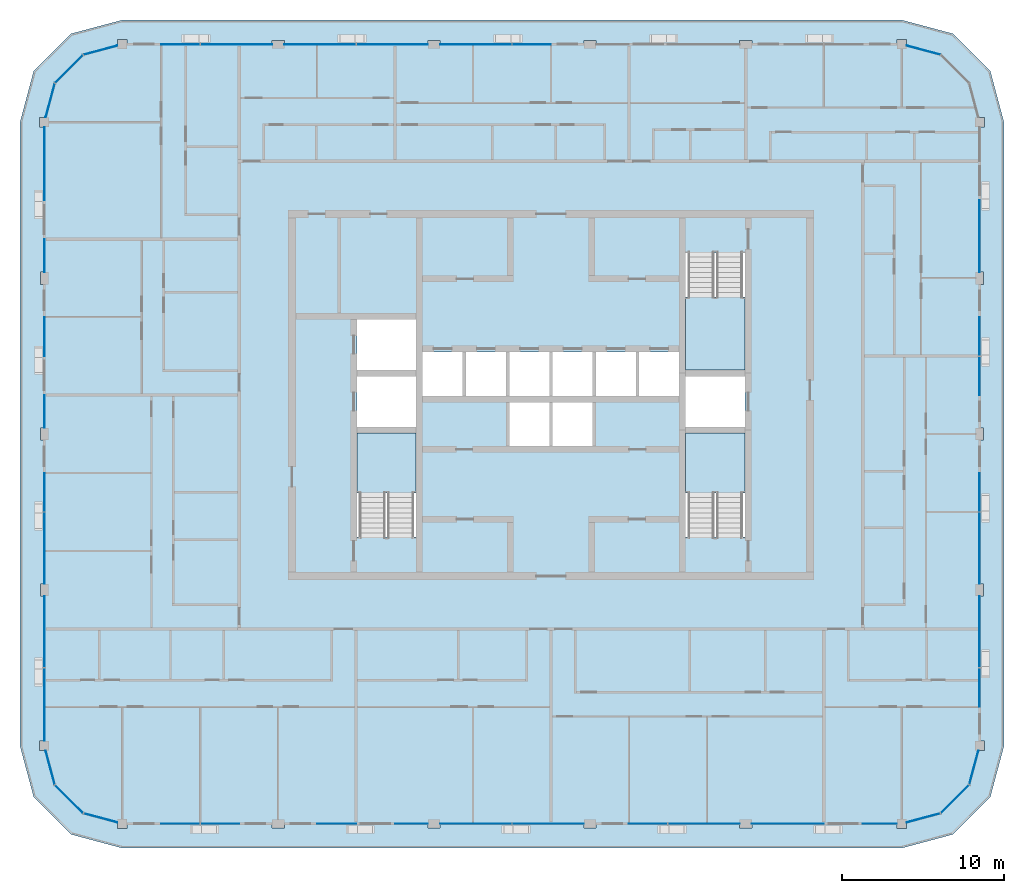
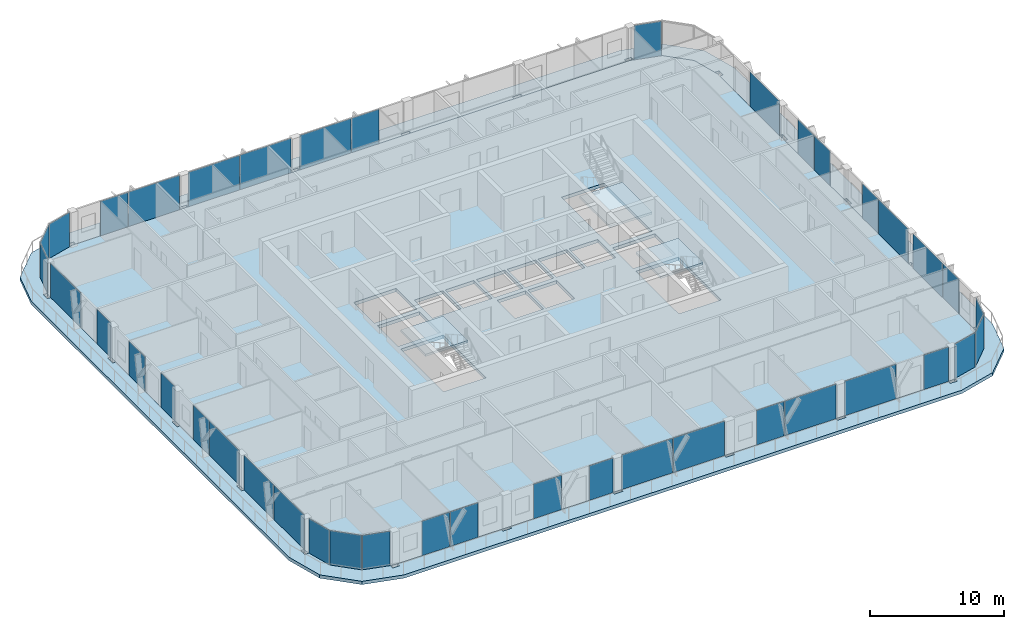
# One storey, part 7 of 21: 41 plates, 5 slabs, 23 elements without a shape of their own.
"""IFC4 building model written with IfcOpenShell, lengths in metres."""

import ifcopenshell
import ifcopenshell.guid

model = None  # the IFC model being written
_history = None  # IfcOwnerHistory: only IFC2X3 demands one
_inside = {}  # id of a spatial element -> (the spatial element, [elements in it])
_under = {}  # id of a project, library or spatial element -> (it, [spatial elements below it])
_declared = {}  # id of a project -> (the project, [libraries it declares])
_typed = {}  # id of a type object -> (the type object, [elements of that type])
_made_of = {}  # id of a material, layer set ... -> (it, [elements and type objects made of it])


def new_model(schema):
    """Start an empty IFC model of exactly this schema.

    Asked for "IFC4X3", IfcOpenShell would pick the latest addendum, in which some entities
    have other attributes; the version numbers below select the first issue.
    IFC2X3 requires an IfcOwnerHistory on every rooted entity: one is made here for all.
    """
    global model, _history
    if schema == "IFC4X3":
        model = ifcopenshell.file(schema_version=(4, 3, 0, 0))
    else:
        model = ifcopenshell.file(schema=schema)
    _inside.clear()
    _under.clear()
    _declared.clear()
    _typed.clear()
    _made_of.clear()
    _history = None
    if model.schema == "IFC2X3":
        org = make("IfcOrganization", Name="unknown")
        user = make(
            "IfcPersonAndOrganization",
            ThePerson=make("IfcPerson", FamilyName="unknown"),
            TheOrganization=org,
        )
        app = make(
            "IfcApplication",
            ApplicationDeveloper=org,
            Version="unknown",
            ApplicationFullName="unknown",
            ApplicationIdentifier="unknown",
        )
        _history = make(
            "IfcOwnerHistory",
            OwningUser=user,
            OwningApplication=app,
            ChangeAction="ADDED",
            CreationDate=0,
        )
    return model


def make(cls, **values):
    """One entity of the class cls with the attributes given. An attribute that is None is left unset."""
    return model.create_entity(
        cls, **{name: value for name, value in values.items() if value is not None}
    )


def rooted(cls, **values):
    """An entity with a GlobalId (a new one), such as an element, a storey or a relation."""
    return make(cls, GlobalId=ifcopenshell.guid.new(), OwnerHistory=_history, **values)


def si_unit(unit_type, name, prefix=None):
    """IfcSIUnit, for example si_unit("LENGTHUNIT", "METRE", prefix="MILLI")."""
    return make("IfcSIUnit", UnitType=unit_type, Prefix=prefix, Name=name)


def assignment(units):
    """IfcUnitAssignment: the units of a project."""
    return None if units is None else make("IfcUnitAssignment", Units=units)


def point(xyz):
    """IfcCartesianPoint."""
    return None if xyz is None else make("IfcCartesianPoint", Coordinates=xyz)


def direction(xyz):
    """IfcDirection."""
    return None if xyz is None else make("IfcDirection", DirectionRatios=xyz)


def frame(location, z_axis=None, x_axis=None):
    """IfcAxis2Placement3D, a coordinate frame: its origin and axes. An axis left out is left unset."""
    return make(
        "IfcAxis2Placement3D",
        Location=point(location),
        Axis=direction(z_axis),
        RefDirection=direction(x_axis),
    )


def frame_2d(location, x_axis=None):
    """IfcAxis2Placement2D, a coordinate frame in the plane: its origin and x axis."""
    return make(
        "IfcAxis2Placement2D", Location=point(location), RefDirection=direction(x_axis)
    )


def origin():
    """The frame at (0, 0, 0) with its axes left unset."""
    return frame((0.0, 0.0, 0.0))


def origin_2d():
    """The frame at (0, 0) in the plane with its x axis left unset."""
    return frame_2d((0.0, 0.0))


def place(relative_to, where):
    """IfcLocalPlacement: puts the frame where relative to a parent placement (None: the world)."""
    return make(
        "IfcLocalPlacement", PlacementRelTo=relative_to, RelativePlacement=where
    )


def context(
    kind, dimensions, precision=None, world=None, true_north=None, identifier=None
):
    """IfcGeometricRepresentationContext, for example the 3D "Model" context."""
    return make(
        "IfcGeometricRepresentationContext",
        ContextIdentifier=identifier,
        ContextType=kind,
        CoordinateSpaceDimension=dimensions,
        Precision=precision,
        WorldCoordinateSystem=world,
        TrueNorth=true_north,
    )


def subcontext(parent, identifier, kind, view, scale=None):
    """IfcGeometricRepresentationSubContext, for example "Body" below "Model"."""
    return make(
        "IfcGeometricRepresentationSubContext",
        ContextIdentifier=identifier,
        ContextType=kind,
        ParentContext=parent,
        TargetScale=scale,
        TargetView=view,
    )


def project(units=None, contexts=None):
    """IfcProject with its units and contexts."""
    return rooted(
        "IfcProject",
        Name="project",
        RepresentationContexts=contexts,
        UnitsInContext=assignment(units),
    )


def spatial(cls, under=None, at=None, **own):
    """A site, building, storey or space (cls), placed at a placement, below another one or the project."""
    s = rooted(cls, ObjectPlacement=at, **own)
    if under is not None:
        _under.setdefault(under.id(), (under, []))[1].append(s)
    return s


def polyline(points):
    """IfcPolyline through the points."""
    return make("IfcPolyline", Points=[point(p) for p in points])


def profile(cls, at=None, kind="AREA", **sizes):
    """A parametric profile (cls). Its sizes go by their IFC names, for example OverallWidth=200.0."""
    return make(cls, ProfileType=kind, Position=at, **sizes)


def rectangle(**sizes):
    """IfcRectangleProfileDef."""
    return profile("IfcRectangleProfileDef", **sizes)


def outline(outer, holes=None, kind="AREA"):
    """IfcArbitraryClosedProfileDef: a profile drawn as a closed curve; with holes, ...WithVoids."""
    if holes is None:
        return make("IfcArbitraryClosedProfileDef", ProfileType=kind, OuterCurve=outer)
    return make(
        "IfcArbitraryProfileDefWithVoids",
        ProfileType=kind,
        OuterCurve=outer,
        InnerCurves=holes,
    )


def extrude(swept, where, along, depth):
    """IfcExtrudedAreaSolid: the profile swept, set in the frame where, extruded along a direction by depth."""
    return make(
        "IfcExtrudedAreaSolid",
        SweptArea=swept,
        Position=where,
        ExtrudedDirection=direction(along),
        Depth=depth,
    )


def shape(context_of_items, identifier, shape_type, items):
    """IfcShapeRepresentation: the items that make up one representation, for example the "Body"."""
    return make(
        "IfcShapeRepresentation",
        ContextOfItems=context_of_items,
        RepresentationIdentifier=identifier,
        RepresentationType=shape_type,
        Items=items,
    )


def material(Name=None, Category=None):
    """IfcMaterial."""
    return make("IfcMaterial", Name=Name, Category=Category)


def layer(
    of_material, thickness, ventilated=None, Name=None, Category=None, Priority=None
):
    """IfcMaterialLayer: one layer of a wall or slab, of a material (None: an air gap)."""
    return make(
        "IfcMaterialLayer",
        Material=of_material,
        LayerThickness=thickness,
        IsVentilated=ventilated,
        Name=Name,
        Category=Category,
        Priority=Priority,
    )


def layer_set(layers, Name=None):
    """IfcMaterialLayerSet."""
    return make("IfcMaterialLayerSet", MaterialLayers=layers, LayerSetName=Name)


def made_of(thing, what):
    """Note that an element or type object is made of a material, layer set ...; save() writes the relation."""
    if what is not None:
        _made_of.setdefault(what.id(), (what, []))[1].append(thing)
    return thing


def type_object(cls, material=None, **own):
    """A type object (cls), such as IfcWallType, which elements share."""
    return made_of(rooted(cls, **own), material)


def element(
    cls,
    number,
    at=None,
    inside=None,
    cuts=None,
    type_object=None,
    material=None,
    context=None,
    identifier="Body",
    shape_type=None,
    held_by="IfcProductDefinitionShape",
    body=None,
    shapes=None,
    **own,
):
    """One element of the class cls, such as IfcWall. Its Tag is "e" and its number.

    at: its placement. inside: the storey or other place that contains it. cuts: it is an
    opening in that element (IfcRelVoidsElement). A single representation is given by context,
    identifier, shape_type and body (its items); several are given by shapes. held_by: the class
    of the entity that holds the representations. save() writes the other relations.
    """
    e = rooted(cls, Tag="e%d" % number, ObjectPlacement=at, **own)
    if body is not None:
        shapes = [shape(context, identifier, shape_type, body)]
    if shapes is not None:
        e.Representation = make(held_by, Representations=shapes)
    if inside is not None:
        _inside.setdefault(inside.id(), (inside, []))[1].append(e)
    if cuts is not None:
        rooted(
            "IfcRelVoidsElement", RelatingBuildingElement=cuts, RelatedOpeningElement=e
        )
    if type_object is not None:
        _typed.setdefault(type_object.id(), (type_object, []))[1].append(e)
    return made_of(e, material)


def aggregate(whole, parts):
    """IfcRelAggregates: a whole, such as a stair, and the parts it consists of."""
    return rooted("IfcRelAggregates", RelatingObject=whole, RelatedObjects=parts)


def save(model, path):
    """Write the relations noted so far, then the file.

    IfcRelAggregates (storeys below a building ...), IfcRelContainedInSpatialStructure (elements
    in a storey), IfcRelDefinesByType, IfcRelAssociatesMaterial and IfcRelDeclares: one each for
    every whole, place, type object, material and project.
    """
    for whole, parts in _under.values():
        aggregate(whole, parts)
    for where, things in _inside.values():
        rooted(
            "IfcRelContainedInSpatialStructure",
            RelatedElements=things,
            RelatingStructure=where,
        )
    for kind, things in _typed.values():
        rooted("IfcRelDefinesByType", RelatedObjects=things, RelatingType=kind)
    for what, things in _made_of.values():
        rooted("IfcRelAssociatesMaterial", RelatedObjects=things, RelatingMaterial=what)
    for by, libraries in _declared.values():
        rooted("IfcRelDeclares", RelatingContext=by, RelatedDefinitions=libraries)
    model.write(path)


model = new_model("IFC4")

# Units and contexts
model_context = context("Model", 3, precision=1e-05, world=origin(), true_north=direction((0.0, 1.0)))
body_context = subcontext(model_context, "Body", "Model", "MODEL_VIEW")
ifc_project = project(units=[si_unit("LENGTHUNIT", "METRE"), si_unit("AREAUNIT", "SQUARE_METRE"), si_unit("VOLUMEUNIT", "CUBIC_METRE"), si_unit("PLANEANGLEUNIT", "RADIAN"), si_unit("MASSUNIT", "GRAM", prefix="KILO")], contexts=[model_context])

# Site, building, storey
site_placement = place(None, origin())
site = spatial("IfcSite", under=ifc_project, at=site_placement, CompositionType="ELEMENT")
building_placement = place(site_placement, origin())
building = spatial("IfcBuilding", under=site, at=building_placement, Name="Madar Terraces", CompositionType="ELEMENT")
storey_placement = place(building_placement, frame((0.0, 0.0, 275.60009765625)))
storey = spatial("IfcBuildingStorey", under=building, at=storey_placement, Name="L72", CompositionType="ELEMENT", Elevation=275.60009765625)

# Slabs
ifc_material_1 = material(Name="Concrete C50/60", Category="concrete")
ifc_layer_1 = layer(ifc_material_1, 0.300048828125)
ifc_layer_set_1 = layer_set([ifc_layer_1], Name="Balcony band 300")
slab_type_1 = type_object("IfcSlabType", Name="Balcony band 300", PredefinedType="FLOOR", material=ifc_layer_set_1)
slab_1_placement = place(storey_placement, frame((0.0, 0.0, -0.300048828125)))
element("IfcSlab", 1, at=slab_1_placement, inside=storey, type_object=slab_type_1, Name="Balcony band", PredefinedType="FLOOR", context=body_context, shape_type="SweptSolid", body=[
    extrude(outline(polyline([(4.800048828125, -1.5), (1.64990234375, -0.656005859375), (-0.656005859375, 1.64990234375), (-1.5, 4.800048828125), (-1.5, 43.199951171875), (-0.656005859375, 46.35009765625), (1.64990234375, 48.656005859375), (4.800048828125, 49.5), (52.800048828125, 49.5), (55.949951171875, 48.656005859375), (58.256103515625, 46.35009765625), (59.10009765625, 43.199951171875), (59.10009765625, 4.800048828125), (58.256103515625, 1.64990234375), (55.949951171875, -0.656005859375), (52.800048828125, -1.5), (4.800048828125, -1.5)]), holes=[polyline([(5.10009765625, -0.300048828125), (5.10009765625, 0.0), (14.02490234375, 0.0), (14.02490234375, -0.25), (14.77490234375, -0.25), (14.77490234375, 0.0), (23.625, 0.0), (23.625, -0.25), (24.375, -0.25), (24.375, 0.0), (33.22509765625, 0.0), (33.22509765625, -0.25), (33.97509765625, -0.25), (33.97509765625, 0.0), (42.824951171875, 0.0), (42.824951171875, -0.25), (43.574951171875, -0.25), (43.574951171875, 0.0), (52.5, 0.0), (52.5, -0.300048828125), (53.10009765625, -0.300048828125), (53.10009765625, 0.080322265625), (55.199951171875, 0.64306640625), (56.956787109375, 2.39990234375), (57.51953125, 4.5), (57.89990234375, 4.5), (57.89990234375, 5.10009765625), (57.60009765625, 5.10009765625), (57.60009765625, 14.02490234375), (57.85009765625, 14.02490234375), (57.85009765625, 14.77490234375), (57.60009765625, 14.77490234375), (57.60009765625, 23.625), (57.85009765625, 23.625), (57.85009765625, 24.375), (57.60009765625, 24.375), (57.60009765625, 33.22509765625), (57.85009765625, 33.22509765625), (57.85009765625, 33.97509765625), (57.60009765625, 33.97509765625), (57.60009765625, 42.89990234375), (57.89990234375, 42.89990234375), (57.89990234375, 43.5), (57.51953125, 43.5), (56.956787109375, 45.60009765625), (55.199951171875, 47.35693359375), (53.10009765625, 47.919677734375), (53.10009765625, 48.300048828125), (52.5, 48.300048828125), (52.5, 48.0), (43.574951171875, 48.0), (43.574951171875, 48.25), (42.824951171875, 48.25), (42.824951171875, 48.0), (33.97509765625, 48.0), (33.97509765625, 48.25), (33.22509765625, 48.25), (33.22509765625, 48.0), (24.375, 48.0), (24.375, 48.25), (23.625, 48.25), (23.625, 48.0), (14.77490234375, 48.0), (14.77490234375, 48.25), (14.02490234375, 48.25), (14.02490234375, 48.0), (5.10009765625, 48.0), (5.10009765625, 48.300048828125), (4.5, 48.300048828125), (4.5, 47.919677734375), (2.39990234375, 47.35693359375), (0.64306640625, 45.60009765625), (0.080322265625, 43.5), (-0.300048828125, 43.5), (-0.300048828125, 42.89990234375), (0.0, 42.89990234375), (0.0, 33.97509765625), (-0.25, 33.97509765625), (-0.25, 33.22509765625), (0.0, 33.22509765625), (0.0, 24.375), (-0.25, 24.375), (-0.25, 23.625), (0.0, 23.625), (0.0, 14.77490234375), (-0.25, 14.77490234375), (-0.25, 14.02490234375), (0.0, 14.02490234375), (0.0, 5.10009765625), (-0.300048828125, 5.10009765625), (-0.300048828125, 4.5), (0.080322265625, 4.5), (0.64306640625, 2.39990234375), (2.39990234375, 0.64306640625), (4.5, 0.080322265625), (4.5, -0.300048828125), (5.10009765625, -0.300048828125)])]), origin(), (0.0, 0.0, 1.0), 0.300048828125),
])
ifc_material_2 = material(Name="Concrete C50/60", Category="concrete")
ifc_layer_2 = layer(ifc_material_2, 0.300048828125)
ifc_layer_set_2 = layer_set([ifc_layer_2], Name="FS2 PT flat slab 300")
slab_type_2 = type_object("IfcSlabType", Name="FS2 PT flat slab 300", PredefinedType="FLOOR", material=ifc_layer_set_2)
slab_2_placement = place(storey_placement, frame((0.0, 0.0, -0.300048828125)))
element("IfcSlab", 2, at=slab_2_placement, inside=storey, type_object=slab_type_2, Name="Floor slab L72 (1)", PredefinedType="FLOOR", context=body_context, shape_type="SweptSolid", body=[
    extrude(outline(polyline([(52.800048828125, 0.0), (55.199951171875, 0.64306640625), (56.95703125, 2.39990234375), (57.60009765625, 4.800048828125), (57.60009765625, 43.199951171875), (56.95703125, 45.60009765625), (55.199951171875, 47.35693359375), (52.800048828125, 48.0), (4.800048828125, 48.0), (2.39990234375, 47.35693359375), (0.64306640625, 45.60009765625), (0.0, 43.199951171875), (0.0, 4.800048828125), (0.64306640625, 2.39990234375), (2.39990234375, 0.64306640625), (4.800048828125, 0.0), (52.800048828125, 0.0)]), holes=[polyline([(22.89990234375, 17.64990234375), (19.25, 17.64990234375), (19.25, 24.050048828125), (22.89990234375, 24.050048828125), (22.89990234375, 17.64990234375)]), polyline([(28.63330078125, 23.25), (28.63330078125, 25.949951171875), (31.10009765625, 25.949951171875), (31.10009765625, 23.25), (28.63330078125, 23.25)]), polyline([(19.25, 24.449951171875), (19.25, 27.550048828125), (22.89990234375, 27.550048828125), (22.89990234375, 24.449951171875), (19.25, 24.449951171875)]), polyline([(23.300048828125, 26.35009765625), (23.300048828125, 29.050048828125), (25.7666015625, 29.050048828125), (25.7666015625, 26.35009765625), (23.300048828125, 26.35009765625)]), polyline([(25.966552734375, 26.35009765625), (25.966552734375, 29.050048828125), (28.433349609375, 29.050048828125), (28.433349609375, 26.35009765625), (25.966552734375, 26.35009765625)]), polyline([(28.63330078125, 26.35009765625), (28.63330078125, 29.050048828125), (31.10009765625, 29.050048828125), (31.10009765625, 26.35009765625), (28.63330078125, 26.35009765625)]), polyline([(19.25, 27.949951171875), (19.25, 31.050048828125), (22.89990234375, 31.050048828125), (22.89990234375, 27.949951171875), (19.25, 27.949951171875)]), polyline([(43.14990234375, 17.64990234375), (39.5, 17.64990234375), (39.5, 24.050048828125), (43.14990234375, 24.050048828125), (43.14990234375, 17.64990234375)]), polyline([(31.300048828125, 23.25), (31.300048828125, 25.949951171875), (33.7666015625, 25.949951171875), (33.7666015625, 23.25), (31.300048828125, 23.25)]), polyline([(39.5, 24.449951171875), (39.5, 27.550048828125), (43.14990234375, 27.550048828125), (43.14990234375, 24.449951171875), (39.5, 24.449951171875)]), polyline([(31.300048828125, 26.35009765625), (31.300048828125, 29.050048828125), (33.7666015625, 29.050048828125), (33.7666015625, 26.35009765625), (31.300048828125, 26.35009765625)]), polyline([(33.966552734375, 26.35009765625), (33.966552734375, 29.050048828125), (36.433349609375, 29.050048828125), (36.433349609375, 26.35009765625), (33.966552734375, 26.35009765625)]), polyline([(36.63330078125, 26.35009765625), (36.63330078125, 29.050048828125), (39.10009765625, 29.050048828125), (39.10009765625, 26.35009765625), (36.63330078125, 26.35009765625)]), polyline([(39.5, 27.949951171875), (39.5, 35.14990234375), (43.14990234375, 35.14990234375), (43.14990234375, 27.949951171875), (39.5, 27.949951171875)])]), origin(), (0.0, 0.0, 1.0), 0.300048828125),
])

# Curtain wall, plates
ifc_material_3 = material(Name="Glass, ceramic frit dark grey, with black aluminium frame", Category="aluminium")
ifc_layer_3 = layer(ifc_material_3, 0.199951171875)
ifc_layer_set_3 = layer_set([ifc_layer_3], Name="Facade curtain wall, fritted glass")
curtain_wall_type = type_object("IfcCurtainWallType", Name="Facade curtain wall, fritted glass", PredefinedType="NOTDEFINED", material=ifc_layer_set_3)
curtain_wall_1_placement = place(storey_placement, origin())
curtain_wall_1 = element("IfcCurtainWall", 3, at=curtain_wall_1_placement, inside=storey, type_object=curtain_wall_type, Name="Outer skin curtain wall south bay 1", PredefinedType="NOTDEFINED")
ifc_material_4 = material(Name="Glass, ceramic frit dark grey", Category="glass")
ifc_layer_4 = layer(ifc_material_4, 0.028076171875)
ifc_layer_set_4 = layer_set([ifc_layer_4], Name="Facade glass panel 28")
plate_type = type_object("IfcPlateType", Name="Facade glass panel 28", PredefinedType="CURTAIN_PANEL", material=ifc_layer_set_4)
plate_1_placement = place(storey_placement, frame((8.385009765625, 0.0, 0.0), z_axis=(0.0, 0.0, 1.0), x_axis=(1.0, 0.0, 0.0)))
plate_1 = element("IfcPlate", 4, at=plate_1_placement, type_object=plate_type, Name="Panel 1", PredefinedType="CURTAIN_PANEL", context=body_context, shape_type="SweptSolid", body=[
    extrude(rectangle(XDim=2.3701171875, YDim=0.028076171875, at=origin_2d()), origin(), (0.0, 0.0, 1.0), 3.139892578125),
])
plate_2_placement = place(storey_placement, frame((10.81494140625, 0.0, 0.0), z_axis=(0.0, 0.0, 1.0), x_axis=(1.0, 0.0, 0.0)))
plate_2 = element("IfcPlate", 5, at=plate_2_placement, type_object=plate_type, Name="Panel 2", PredefinedType="CURTAIN_PANEL", context=body_context, shape_type="SweptSolid", body=[
    extrude(rectangle(XDim=2.3701171875, YDim=0.028076171875, at=origin_2d()), origin(), (0.0, 0.0, 1.0), 3.139892578125),
])
aggregate(curtain_wall_1, [plate_1, plate_2])

curtain_wall_2_placement = place(storey_placement, origin())
curtain_wall_2 = element("IfcCurtainWall", 6, at=curtain_wall_2_placement, inside=storey, type_object=curtain_wall_type, Name="Outer skin curtain wall south bay 2", PredefinedType="NOTDEFINED")
plate_3_placement = place(storey_placement, frame((18.0, 0.0, 0.0), z_axis=(0.0, 0.0, 1.0), x_axis=(1.0, 0.0, 0.0)))
plate_3 = element("IfcPlate", 7, at=plate_3_placement, type_object=plate_type, Name="Panel 1", PredefinedType="CURTAIN_PANEL", context=body_context, shape_type="SweptSolid", body=[
    extrude(rectangle(XDim=2.39990234375, YDim=0.028076171875, at=origin_2d()), origin(), (0.0, 0.0, 1.0), 3.139892578125),
])
plate_4_placement = place(storey_placement, frame((22.612548828125, 0.0, 0.0), z_axis=(0.0, 0.0, 1.0), x_axis=(1.0, 0.0, 0.0)))
plate_4 = element("IfcPlate", 8, at=plate_4_placement, type_object=plate_type, Name="Panel 2", PredefinedType="CURTAIN_PANEL", context=body_context, shape_type="SweptSolid", body=[
    extrude(rectangle(XDim=2.02490234375, YDim=0.028076171875, at=origin_2d()), origin(), (0.0, 0.0, 1.0), 3.139892578125),
])
aggregate(curtain_wall_2, [plate_3, plate_4])

curtain_wall_3_placement = place(storey_placement, origin())
curtain_wall_3 = element("IfcCurtainWall", 9, at=curtain_wall_3_placement, inside=storey, type_object=curtain_wall_type, Name="Outer skin curtain wall south bay 3", PredefinedType="NOTDEFINED")
plate_5_placement = place(storey_placement, frame((26.572509765625, 0.0, 0.0), z_axis=(0.0, 0.0, 1.0), x_axis=(1.0, 0.0, 0.0)))
plate_5 = element("IfcPlate", 10, at=plate_5_placement, type_object=plate_type, Name="Panel 1", PredefinedType="CURTAIN_PANEL", context=body_context, shape_type="SweptSolid", body=[
    extrude(rectangle(XDim=4.39501953125, YDim=0.028076171875, at=origin_2d()), origin(), (0.0, 0.0, 1.0), 3.139892578125),
])
plate_6_placement = place(storey_placement, frame((31.027587890625, 0.0, 0.0), z_axis=(0.0, 0.0, 1.0), x_axis=(1.0, 0.0, 0.0)))
plate_6 = element("IfcPlate", 11, at=plate_6_placement, type_object=plate_type, Name="Panel 2", PredefinedType="CURTAIN_PANEL", context=body_context, shape_type="SweptSolid", body=[
    extrude(rectangle(XDim=4.39501953125, YDim=0.028076171875, at=origin_2d()), origin(), (0.0, 0.0, 1.0), 3.139892578125),
])
aggregate(curtain_wall_3, [plate_5, plate_6])

curtain_wall_4_placement = place(storey_placement, origin())
curtain_wall_4 = element("IfcCurtainWall", 12, at=curtain_wall_4_placement, inside=storey, type_object=curtain_wall_type, Name="Outer skin curtain wall south bay 4", PredefinedType="NOTDEFINED")
plate_7_placement = place(storey_placement, frame((37.18505859375, 0.0, 0.0), z_axis=(0.0, 0.0, 1.0), x_axis=(1.0, 0.0, 0.0)))
plate_7 = element("IfcPlate", 13, at=plate_7_placement, type_object=plate_type, Name="Panel 1", PredefinedType="CURTAIN_PANEL", context=body_context, shape_type="SweptSolid", body=[
    extrude(rectangle(XDim=2.3701171875, YDim=0.028076171875, at=origin_2d()), origin(), (0.0, 0.0, 1.0), 3.139892578125),
])
plate_8_placement = place(storey_placement, frame((40.62744140625, 0.0, 0.0), z_axis=(0.0, 0.0, 1.0), x_axis=(1.0, 0.0, 0.0)))
plate_8 = element("IfcPlate", 14, at=plate_8_placement, type_object=plate_type, Name="Panel 2", PredefinedType="CURTAIN_PANEL", context=body_context, shape_type="SweptSolid", body=[
    extrude(rectangle(XDim=4.39501953125, YDim=0.028076171875, at=origin_2d()), origin(), (0.0, 0.0, 1.0), 3.139892578125),
])
aggregate(curtain_wall_4, [plate_7, plate_8])

curtain_wall_5_placement = place(storey_placement, origin())
curtain_wall_5 = element("IfcCurtainWall", 15, at=curtain_wall_5_placement, inside=storey, type_object=curtain_wall_type, Name="Outer skin curtain wall south bay 5", PredefinedType="NOTDEFINED")
plate_9_placement = place(storey_placement, frame((45.78759765625, 0.0, 0.0), z_axis=(0.0, 0.0, 1.0), x_axis=(1.0, 0.0, 0.0)))
plate_9 = element("IfcPlate", 16, at=plate_9_placement, type_object=plate_type, Name="Panel 1", PredefinedType="CURTAIN_PANEL", context=body_context, shape_type="SweptSolid", body=[
    extrude(rectangle(XDim=4.425048828125, YDim=0.028076171875, at=origin_2d()), origin(), (0.0, 0.0, 1.0), 3.139892578125),
])
plate_10_placement = place(storey_placement, frame((51.449951171875, 0.0, 0.0), z_axis=(0.0, 0.0, 1.0), x_axis=(1.0, 0.0, 0.0)))
plate_10 = element("IfcPlate", 17, at=plate_10_placement, type_object=plate_type, Name="Panel 2", PredefinedType="CURTAIN_PANEL", context=body_context, shape_type="SweptSolid", body=[
    extrude(rectangle(XDim=2.10009765625, YDim=0.028076171875, at=origin_2d()), origin(), (0.0, 0.0, 1.0), 3.139892578125),
])
aggregate(curtain_wall_5, [plate_9, plate_10])

curtain_wall_6_placement = place(storey_placement, origin())
curtain_wall_6 = element("IfcCurtainWall", 18, at=curtain_wall_6_placement, inside=storey, type_object=curtain_wall_type, Name="Outer skin curtain wall east bay 1", PredefinedType="NOTDEFINED")
plate_11_placement = place(storey_placement, frame((57.60009765625, 8.385009765625, 0.0), z_axis=(0.0, 0.0, 1.0), x_axis=(0.0, 1.0, 0.0)))
plate_11 = element("IfcPlate", 19, at=plate_11_placement, type_object=plate_type, Name="Panel 1", PredefinedType="CURTAIN_PANEL", context=body_context, shape_type="SweptSolid", body=[
    extrude(rectangle(XDim=2.3701171875, YDim=0.028076171875, at=origin_2d()), origin(), (0.0, 0.0, 1.0), 3.139892578125),
])
plate_12_placement = place(storey_placement, frame((57.60009765625, 11.827392578125, 0.0), z_axis=(0.0, 0.0, 1.0), x_axis=(0.0, 1.0, 0.0)))
plate_12 = element("IfcPlate", 20, at=plate_12_placement, type_object=plate_type, Name="Panel 2", PredefinedType="CURTAIN_PANEL", context=body_context, shape_type="SweptSolid", body=[
    extrude(rectangle(XDim=4.39501953125, YDim=0.028076171875, at=origin_2d()), origin(), (0.0, 0.0, 1.0), 3.139892578125),
])
aggregate(curtain_wall_6, [plate_11, plate_12])

curtain_wall_7_placement = place(storey_placement, origin())
curtain_wall_7 = element("IfcCurtainWall", 21, at=curtain_wall_7_placement, inside=storey, type_object=curtain_wall_type, Name="Outer skin curtain wall east bay 2", PredefinedType="NOTDEFINED")
plate_13_placement = place(storey_placement, frame((57.60009765625, 16.972412109375, 0.0), z_axis=(0.0, 0.0, 1.0), x_axis=(0.0, 1.0, 0.0)))
plate_13 = element("IfcPlate", 22, at=plate_13_placement, type_object=plate_type, Name="Panel 1", PredefinedType="CURTAIN_PANEL", context=body_context, shape_type="SweptSolid", body=[
    extrude(rectangle(XDim=4.39501953125, YDim=0.028076171875, at=origin_2d()), origin(), (0.0, 0.0, 1.0), 3.139892578125),
])
plate_14_placement = place(storey_placement, frame((57.60009765625, 20.4150390625, 0.0), z_axis=(0.0, 0.0, 1.0), x_axis=(0.0, 1.0, 0.0)))
plate_14 = element("IfcPlate", 23, at=plate_14_placement, type_object=plate_type, Name="Panel 2", PredefinedType="CURTAIN_PANEL", context=body_context, shape_type="SweptSolid", body=[
    extrude(rectangle(XDim=2.3701171875, YDim=0.028076171875, at=origin_2d()), origin(), (0.0, 0.0, 1.0), 3.139892578125),
])
aggregate(curtain_wall_7, [plate_13, plate_14])

curtain_wall_8_placement = place(storey_placement, origin())
curtain_wall_8 = element("IfcCurtainWall", 24, at=curtain_wall_8_placement, inside=storey, type_object=curtain_wall_type, Name="Outer skin curtain wall east bay 3", PredefinedType="NOTDEFINED")
plate_15_placement = place(storey_placement, frame((57.60009765625, 27.5849609375, 0.0), z_axis=(0.0, 0.0, 1.0), x_axis=(0.0, 1.0, 0.0)))
plate_15 = element("IfcPlate", 25, at=plate_15_placement, type_object=plate_type, Name="Panel 1", PredefinedType="CURTAIN_PANEL", context=body_context, shape_type="SweptSolid", body=[
    extrude(rectangle(XDim=2.3701171875, YDim=0.028076171875, at=origin_2d()), origin(), (0.0, 0.0, 1.0), 3.139892578125),
])
plate_16_placement = place(storey_placement, frame((57.60009765625, 30.014892578125, 0.0), z_axis=(0.0, 0.0, 1.0), x_axis=(0.0, 1.0, 0.0)))
plate_16 = element("IfcPlate", 26, at=plate_16_placement, type_object=plate_type, Name="Panel 2", PredefinedType="CURTAIN_PANEL", context=body_context, shape_type="SweptSolid", body=[
    extrude(rectangle(XDim=2.3701171875, YDim=0.028076171875, at=origin_2d()), origin(), (0.0, 0.0, 1.0), 3.139892578125),
])
aggregate(curtain_wall_8, [plate_15, plate_16])

# Curtain wall, plate
curtain_wall_9_placement = place(storey_placement, origin())
curtain_wall_9 = element("IfcCurtainWall", 27, at=curtain_wall_9_placement, inside=storey, type_object=curtain_wall_type, Name="Outer skin curtain wall east bay 4", PredefinedType="NOTDEFINED")
plate_17_placement = place(storey_placement, frame((57.60009765625, 36.1875, 0.0), z_axis=(0.0, 0.0, 1.0), x_axis=(0.0, 1.0, 0.0)))
plate_17 = element("IfcPlate", 28, at=plate_17_placement, type_object=plate_type, Name="Panel 1", PredefinedType="CURTAIN_PANEL", context=body_context, shape_type="SweptSolid", body=[
    extrude(rectangle(XDim=4.425048828125, YDim=0.028076171875, at=origin_2d()), origin(), (0.0, 0.0, 1.0), 3.139892578125),
])
aggregate(curtain_wall_9, [plate_17])

# Curtain wall, plates
curtain_wall_10_placement = place(storey_placement, origin())
curtain_wall_10 = element("IfcCurtainWall", 29, at=curtain_wall_10_placement, inside=storey, type_object=curtain_wall_type, Name="Outer skin curtain wall north bay 3", PredefinedType="NOTDEFINED")
plate_18_placement = place(storey_placement, frame((30.014892578125, 48.0, 0.0), z_axis=(0.0, 0.0, 1.0), x_axis=(-1.0, 0.0, 0.0)))
plate_18 = element("IfcPlate", 30, at=plate_18_placement, type_object=plate_type, Name="Panel 1", PredefinedType="CURTAIN_PANEL", context=body_context, shape_type="SweptSolid", body=[
    extrude(rectangle(XDim=2.3701171875, YDim=0.028076171875, at=origin_2d()), origin(), (0.0, 0.0, 1.0), 3.139892578125),
])
plate_19_placement = place(storey_placement, frame((26.572509765625, 48.0, 0.0), z_axis=(0.0, 0.0, 1.0), x_axis=(-1.0, 0.0, 0.0)))
plate_19 = element("IfcPlate", 31, at=plate_19_placement, type_object=plate_type, Name="Panel 2", PredefinedType="CURTAIN_PANEL", context=body_context, shape_type="SweptSolid", body=[
    extrude(rectangle(XDim=4.39501953125, YDim=0.028076171875, at=origin_2d()), origin(), (0.0, 0.0, 1.0), 3.139892578125),
])
aggregate(curtain_wall_10, [plate_18, plate_19])

curtain_wall_11_placement = place(storey_placement, origin())
curtain_wall_11 = element("IfcCurtainWall", 32, at=curtain_wall_11_placement, inside=storey, type_object=curtain_wall_type, Name="Outer skin curtain wall north bay 4", PredefinedType="NOTDEFINED")
plate_20_placement = place(storey_placement, frame((21.427490234375, 48.0, 0.0), z_axis=(0.0, 0.0, 1.0), x_axis=(-1.0, 0.0, 0.0)))
plate_20 = element("IfcPlate", 33, at=plate_20_placement, type_object=plate_type, Name="Panel 1", PredefinedType="CURTAIN_PANEL", context=body_context, shape_type="SweptSolid", body=[
    extrude(rectangle(XDim=4.39501953125, YDim=0.028076171875, at=origin_2d()), origin(), (0.0, 0.0, 1.0), 3.139892578125),
])
plate_21_placement = place(storey_placement, frame((16.972412109375, 48.0, 0.0), z_axis=(0.0, 0.0, 1.0), x_axis=(-1.0, 0.0, 0.0)))
plate_21 = element("IfcPlate", 34, at=plate_21_placement, type_object=plate_type, Name="Panel 2", PredefinedType="CURTAIN_PANEL", context=body_context, shape_type="SweptSolid", body=[
    extrude(rectangle(XDim=4.39501953125, YDim=0.028076171875, at=origin_2d()), origin(), (0.0, 0.0, 1.0), 3.139892578125),
])
aggregate(curtain_wall_11, [plate_20, plate_21])

curtain_wall_12_placement = place(storey_placement, origin())
curtain_wall_12 = element("IfcCurtainWall", 35, at=curtain_wall_12_placement, inside=storey, type_object=curtain_wall_type, Name="Outer skin curtain wall north bay 5", PredefinedType="NOTDEFINED")
plate_22_placement = place(storey_placement, frame((11.827392578125, 48.0, 0.0), z_axis=(0.0, 0.0, 1.0), x_axis=(-1.0, 0.0, 0.0)))
plate_22 = element("IfcPlate", 36, at=plate_22_placement, type_object=plate_type, Name="Panel 1", PredefinedType="CURTAIN_PANEL", context=body_context, shape_type="SweptSolid", body=[
    extrude(rectangle(XDim=4.39501953125, YDim=0.028076171875, at=origin_2d()), origin(), (0.0, 0.0, 1.0), 3.139892578125),
])
plate_23_placement = place(storey_placement, frame((8.385009765625, 48.0, 0.0), z_axis=(0.0, 0.0, 1.0), x_axis=(-1.0, 0.0, 0.0)))
plate_23 = element("IfcPlate", 37, at=plate_23_placement, type_object=plate_type, Name="Panel 2", PredefinedType="CURTAIN_PANEL", context=body_context, shape_type="SweptSolid", body=[
    extrude(rectangle(XDim=2.3701171875, YDim=0.028076171875, at=origin_2d()), origin(), (0.0, 0.0, 1.0), 3.139892578125),
])
aggregate(curtain_wall_12, [plate_22, plate_23])

curtain_wall_13_placement = place(storey_placement, origin())
curtain_wall_13 = element("IfcCurtainWall", 38, at=curtain_wall_13_placement, inside=storey, type_object=curtain_wall_type, Name="Outer skin curtain wall west bay 1", PredefinedType="NOTDEFINED")
plate_24_placement = place(storey_placement, frame((0.0, 40.64990234375, 0.0), z_axis=(0.0, 0.0, 1.0), x_axis=(0.0, -1.0, 0.0)))
plate_24 = element("IfcPlate", 39, at=plate_24_placement, type_object=plate_type, Name="Panel 1", PredefinedType="CURTAIN_PANEL", context=body_context, shape_type="SweptSolid", body=[
    extrude(rectangle(XDim=4.5, YDim=0.028076171875, at=origin_2d()), origin(), (0.0, 0.0, 1.0), 3.139892578125),
])
plate_25_placement = place(storey_placement, frame((0.0, 34.987548828125, 0.0), z_axis=(0.0, 0.0, 1.0), x_axis=(0.0, -1.0, 0.0)))
plate_25 = element("IfcPlate", 40, at=plate_25_placement, type_object=plate_type, Name="Panel 2", PredefinedType="CURTAIN_PANEL", context=body_context, shape_type="SweptSolid", body=[
    extrude(rectangle(XDim=2.02490234375, YDim=0.028076171875, at=origin_2d()), origin(), (0.0, 0.0, 1.0), 3.139892578125),
])
aggregate(curtain_wall_13, [plate_24, plate_25])

curtain_wall_14_placement = place(storey_placement, origin())
curtain_wall_14 = element("IfcCurtainWall", 41, at=curtain_wall_14_placement, inside=storey, type_object=curtain_wall_type, Name="Outer skin curtain wall west bay 2", PredefinedType="NOTDEFINED")
plate_26_placement = place(storey_placement, frame((0.0, 30.0, 0.0), z_axis=(0.0, 0.0, 1.0), x_axis=(0.0, -1.0, 0.0)))
plate_26 = element("IfcPlate", 42, at=plate_26_placement, type_object=plate_type, Name="Panel 1", PredefinedType="CURTAIN_PANEL", context=body_context, shape_type="SweptSolid", body=[
    extrude(rectangle(XDim=2.39990234375, YDim=0.028076171875, at=origin_2d()), origin(), (0.0, 0.0, 1.0), 3.139892578125),
])
plate_27_placement = place(storey_placement, frame((0.0, 25.387451171875, 0.0), z_axis=(0.0, 0.0, 1.0), x_axis=(0.0, -1.0, 0.0)))
plate_27 = element("IfcPlate", 43, at=plate_27_placement, type_object=plate_type, Name="Panel 2", PredefinedType="CURTAIN_PANEL", context=body_context, shape_type="SweptSolid", body=[
    extrude(rectangle(XDim=2.02490234375, YDim=0.028076171875, at=origin_2d()), origin(), (0.0, 0.0, 1.0), 3.139892578125),
])
aggregate(curtain_wall_14, [plate_26, plate_27])

curtain_wall_15_placement = place(storey_placement, origin())
curtain_wall_15 = element("IfcCurtainWall", 44, at=curtain_wall_15_placement, inside=storey, type_object=curtain_wall_type, Name="Outer skin curtain wall west bay 3", PredefinedType="NOTDEFINED")
plate_28_placement = place(storey_placement, frame((0.0, 20.4150390625, 0.0), z_axis=(0.0, 0.0, 1.0), x_axis=(0.0, -1.0, 0.0)))
plate_28 = element("IfcPlate", 45, at=plate_28_placement, type_object=plate_type, Name="Panel 1", PredefinedType="CURTAIN_PANEL", context=body_context, shape_type="SweptSolid", body=[
    extrude(rectangle(XDim=2.3701171875, YDim=0.028076171875, at=origin_2d()), origin(), (0.0, 0.0, 1.0), 3.139892578125),
])
plate_29_placement = place(storey_placement, frame((0.0, 16.972412109375, 0.0), z_axis=(0.0, 0.0, 1.0), x_axis=(0.0, -1.0, 0.0)))
plate_29 = element("IfcPlate", 46, at=plate_29_placement, type_object=plate_type, Name="Panel 2", PredefinedType="CURTAIN_PANEL", context=body_context, shape_type="SweptSolid", body=[
    extrude(rectangle(XDim=4.39501953125, YDim=0.028076171875, at=origin_2d()), origin(), (0.0, 0.0, 1.0), 3.139892578125),
])
aggregate(curtain_wall_15, [plate_28, plate_29])

curtain_wall_16_placement = place(storey_placement, origin())
curtain_wall_16 = element("IfcCurtainWall", 47, at=curtain_wall_16_placement, inside=storey, type_object=curtain_wall_type, Name="Outer skin curtain wall west bay 4", PredefinedType="NOTDEFINED")
plate_30_placement = place(storey_placement, frame((0.0, 11.827392578125, 0.0), z_axis=(0.0, 0.0, 1.0), x_axis=(0.0, -1.0, 0.0)))
plate_30 = element("IfcPlate", 48, at=plate_30_placement, type_object=plate_type, Name="Panel 1", PredefinedType="CURTAIN_PANEL", context=body_context, shape_type="SweptSolid", body=[
    extrude(rectangle(XDim=4.39501953125, YDim=0.028076171875, at=origin_2d()), origin(), (0.0, 0.0, 1.0), 3.139892578125),
])
plate_31_placement = place(storey_placement, frame((0.0, 7.3349609375, 0.0), z_axis=(0.0, 0.0, 1.0), x_axis=(0.0, -1.0, 0.0)))
plate_31 = element("IfcPlate", 49, at=plate_31_placement, type_object=plate_type, Name="Panel 2", PredefinedType="CURTAIN_PANEL", context=body_context, shape_type="SweptSolid", body=[
    extrude(rectangle(XDim=4.469970703125, YDim=0.028076171875, at=origin_2d()), origin(), (0.0, 0.0, 1.0), 3.139892578125),
])
aggregate(curtain_wall_16, [plate_30, plate_31])

curtain_wall_17_placement = place(storey_placement, origin())
curtain_wall_17 = element("IfcCurtainWall", 50, at=curtain_wall_17_placement, inside=storey, type_object=curtain_wall_type, Name="Outer skin curtain wall south-east corner", PredefinedType="NOTDEFINED")
plate_32_placement = place(storey_placement, frame((54.135498046875, 0.35791015625, 0.0), z_axis=(0.0, 0.0, 1.0), x_axis=(0.965925832509, 0.258819021888, 0.0)))
plate_32 = element("IfcPlate", 51, at=plate_32_placement, type_object=plate_type, Name="Panel 1", PredefinedType="CURTAIN_PANEL", context=body_context, shape_type="SweptSolid", body=[
    extrude(rectangle(XDim=2.14404296875, YDim=0.028076171875, at=origin_2d()), origin(), (0.0, 0.0, 1.0), 3.139892578125),
])
plate_33_placement = place(storey_placement, frame((56.078369140625, 1.521484375, 0.0), z_axis=(0.0, 0.0, 1.0), x_axis=(0.707106781187, 0.707106781187, 0.0)))
plate_33 = element("IfcPlate", 52, at=plate_33_placement, type_object=plate_type, Name="Panel 2", PredefinedType="CURTAIN_PANEL", context=body_context, shape_type="SweptSolid", body=[
    extrude(rectangle(XDim=2.424560546875, YDim=0.028076171875, at=origin_2d()), origin(), (0.0, 0.0, 1.0), 3.139892578125),
])
plate_34_placement = place(storey_placement, frame((57.2421875, 3.464599609375, 0.0), z_axis=(0.0, 0.0, 1.0), x_axis=(0.258819021888, 0.965925832509, 0.0)))
plate_34 = element("IfcPlate", 53, at=plate_34_placement, type_object=plate_type, Name="Panel 3", PredefinedType="CURTAIN_PANEL", context=body_context, shape_type="SweptSolid", body=[
    extrude(rectangle(XDim=2.14404296875, YDim=0.028076171875, at=origin_2d()), origin(), (0.0, 0.0, 1.0), 3.139892578125),
])
aggregate(curtain_wall_17, [plate_32, plate_33, plate_34])

# Curtain wall, plate
curtain_wall_18_placement = place(storey_placement, origin())
curtain_wall_18 = element("IfcCurtainWall", 54, at=curtain_wall_18_placement, inside=storey, type_object=curtain_wall_type, Name="Outer skin curtain wall north-east corner", PredefinedType="NOTDEFINED")
plate_35_placement = place(storey_placement, frame((54.135498046875, 47.64208984375, 0.0), z_axis=(0.0, 0.0, 1.0), x_axis=(-0.965925832509, 0.258819021888, 0.0)))
plate_35 = element("IfcPlate", 55, at=plate_35_placement, type_object=plate_type, Name="Panel 3", PredefinedType="CURTAIN_PANEL", context=body_context, shape_type="SweptSolid", body=[
    extrude(rectangle(XDim=2.14404296875, YDim=0.028076171875, at=origin_2d()), origin(), (0.0, 0.0, 1.0), 3.139892578125),
])
aggregate(curtain_wall_18, [plate_35])

# Curtain wall, plates
curtain_wall_19_placement = place(storey_placement, origin())
curtain_wall_19 = element("IfcCurtainWall", 56, at=curtain_wall_19_placement, inside=storey, type_object=curtain_wall_type, Name="Outer skin curtain wall north-west corner", PredefinedType="NOTDEFINED")
plate_36_placement = place(storey_placement, frame((3.464599609375, 47.64208984375, 0.0), z_axis=(0.0, 0.0, 1.0), x_axis=(-0.965925832509, -0.258819021888, 0.0)))
plate_36 = element("IfcPlate", 57, at=plate_36_placement, type_object=plate_type, Name="Panel 1", PredefinedType="CURTAIN_PANEL", context=body_context, shape_type="SweptSolid", body=[
    extrude(rectangle(XDim=2.14404296875, YDim=0.028076171875, at=origin_2d()), origin(), (0.0, 0.0, 1.0), 3.139892578125),
])
plate_37_placement = place(storey_placement, frame((1.521484375, 46.478515625, 0.0), z_axis=(0.0, 0.0, 1.0), x_axis=(-0.707106781187, -0.707106781187, 0.0)))
plate_37 = element("IfcPlate", 58, at=plate_37_placement, type_object=plate_type, Name="Panel 2", PredefinedType="CURTAIN_PANEL", context=body_context, shape_type="SweptSolid", body=[
    extrude(rectangle(XDim=2.424560546875, YDim=0.028076171875, at=origin_2d()), origin(), (0.0, 0.0, 1.0), 3.139892578125),
])
plate_38_placement = place(storey_placement, frame((0.35791015625, 44.535400390625, 0.0), z_axis=(0.0, 0.0, 1.0), x_axis=(-0.258819021888, -0.965925832509, 0.0)))
plate_38 = element("IfcPlate", 59, at=plate_38_placement, type_object=plate_type, Name="Panel 3", PredefinedType="CURTAIN_PANEL", context=body_context, shape_type="SweptSolid", body=[
    extrude(rectangle(XDim=2.14404296875, YDim=0.028076171875, at=origin_2d()), origin(), (0.0, 0.0, 1.0), 3.139892578125),
])
aggregate(curtain_wall_19, [plate_36, plate_37, plate_38])

curtain_wall_20_placement = place(storey_placement, origin())
curtain_wall_20 = element("IfcCurtainWall", 60, at=curtain_wall_20_placement, inside=storey, type_object=curtain_wall_type, Name="Outer skin curtain wall south-west corner", PredefinedType="NOTDEFINED")
plate_39_placement = place(storey_placement, frame((0.35791015625, 3.464599609375, 0.0), z_axis=(0.0, 0.0, 1.0), x_axis=(0.258819021888, -0.965925832509, 0.0)))
plate_39 = element("IfcPlate", 61, at=plate_39_placement, type_object=plate_type, Name="Panel 1", PredefinedType="CURTAIN_PANEL", context=body_context, shape_type="SweptSolid", body=[
    extrude(rectangle(XDim=2.14404296875, YDim=0.028076171875, at=origin_2d()), origin(), (0.0, 0.0, 1.0), 3.139892578125),
])
plate_40_placement = place(storey_placement, frame((1.521484375, 1.521484375, 0.0), z_axis=(0.0, 0.0, 1.0), x_axis=(0.707106781187, -0.707106781187, 0.0)))
plate_40 = element("IfcPlate", 62, at=plate_40_placement, type_object=plate_type, Name="Panel 2", PredefinedType="CURTAIN_PANEL", context=body_context, shape_type="SweptSolid", body=[
    extrude(rectangle(XDim=2.424560546875, YDim=0.028076171875, at=origin_2d()), origin(), (0.0, 0.0, 1.0), 3.139892578125),
])
plate_41_placement = place(storey_placement, frame((3.464599609375, 0.35791015625, 0.0), z_axis=(0.0, 0.0, 1.0), x_axis=(0.965925832509, -0.258819021888, 0.0)))
plate_41 = element("IfcPlate", 63, at=plate_41_placement, type_object=plate_type, Name="Panel 3", PredefinedType="CURTAIN_PANEL", context=body_context, shape_type="SweptSolid", body=[
    extrude(rectangle(XDim=2.14404296875, YDim=0.028076171875, at=origin_2d()), origin(), (0.0, 0.0, 1.0), 3.139892578125),
])
aggregate(curtain_wall_20, [plate_39, plate_40, plate_41])

# Stair, slab
ifc_material_5 = material(Name="Concrete C50/60", Category="concrete")
stair_type_1 = type_object("IfcStairType", Name="Stair ST1 protected exit", PredefinedType="HALF_TURN_STAIR", material=ifc_material_5)
stair_1_placement = place(storey_placement, origin())
stair_1 = element("IfcStair", 64, at=stair_1_placement, inside=storey, type_object=stair_type_1, Name="L72 Protected Exit Stair ST1", PredefinedType="HALF_TURN_STAIR")
ifc_material_6 = material(Name="Concrete C50/60", Category="concrete")
ifc_layer_5 = layer(ifc_material_6, 0.199951171875)
ifc_layer_set_5 = layer_set([ifc_layer_5], Name="Stair landing 200, top +1.75")
slab_type_3 = type_object("IfcSlabType", Name="Stair landing 200, top +1.75", PredefinedType="LANDING", material=ifc_layer_set_5)
slab_3_placement = place(storey_placement, frame((0.0, 0.0, 1.5498046875)))
slab_3 = element("IfcSlab", 65, at=slab_3_placement, type_object=slab_type_3, Name="ST1 landing 1", PredefinedType="LANDING", context=body_context, shape_type="SweptSolid", body=[
    extrude(outline(polyline([(19.25, 20.360107421875), (22.89990234375, 20.360107421875), (22.89990234375, 24.050048828125), (19.25, 24.050048828125), (19.25, 20.360107421875)])), origin(), (0.0, 0.0, 1.0), 0.2001953125),
])
aggregate(stair_1, [slab_3])

ifc_material_7 = material(Name="Concrete C50/60", Category="concrete")
stair_type_2 = type_object("IfcStairType", Name="Stair ST2 protected exit", PredefinedType="HALF_TURN_STAIR", material=ifc_material_7)
stair_2_placement = place(storey_placement, origin())
stair_2 = element("IfcStair", 66, at=stair_2_placement, inside=storey, type_object=stair_type_2, Name="L72 Protected Exit Stair ST2", PredefinedType="HALF_TURN_STAIR")
slab_4_placement = place(storey_placement, frame((0.0, 0.0, 1.5498046875)))
slab_4 = element("IfcSlab", 67, at=slab_4_placement, type_object=slab_type_3, Name="ST2 landing 1", PredefinedType="LANDING", context=body_context, shape_type="SweptSolid", body=[
    extrude(outline(polyline([(39.5, 27.949951171875), (43.14990234375, 27.949951171875), (43.14990234375, 32.43994140625), (39.5, 32.43994140625), (39.5, 27.949951171875)])), origin(), (0.0, 0.0, 1.0), 0.2001953125),
])
aggregate(stair_2, [slab_4])

ifc_material_8 = material(Name="Concrete C50/60", Category="concrete")
stair_type_3 = type_object("IfcStairType", Name="Stair ST3 protected exit", PredefinedType="HALF_TURN_STAIR", material=ifc_material_8)
stair_3_placement = place(storey_placement, origin())
stair_3 = element("IfcStair", 68, at=stair_3_placement, inside=storey, type_object=stair_type_3, Name="L72 Protected Exit Stair ST3", PredefinedType="HALF_TURN_STAIR")
slab_5_placement = place(storey_placement, frame((0.0, 0.0, 1.5498046875)))
slab_5 = element("IfcSlab", 69, at=slab_5_placement, type_object=slab_type_3, Name="ST3 landing 1", PredefinedType="LANDING", context=body_context, shape_type="SweptSolid", body=[
    extrude(outline(polyline([(39.5, 20.360107421875), (43.14990234375, 20.360107421875), (43.14990234375, 24.050048828125), (39.5, 24.050048828125), (39.5, 20.360107421875)])), origin(), (0.0, 0.0, 1.0), 0.2001953125),
])
aggregate(stair_3, [slab_5])

save(model, "model.ifc")
